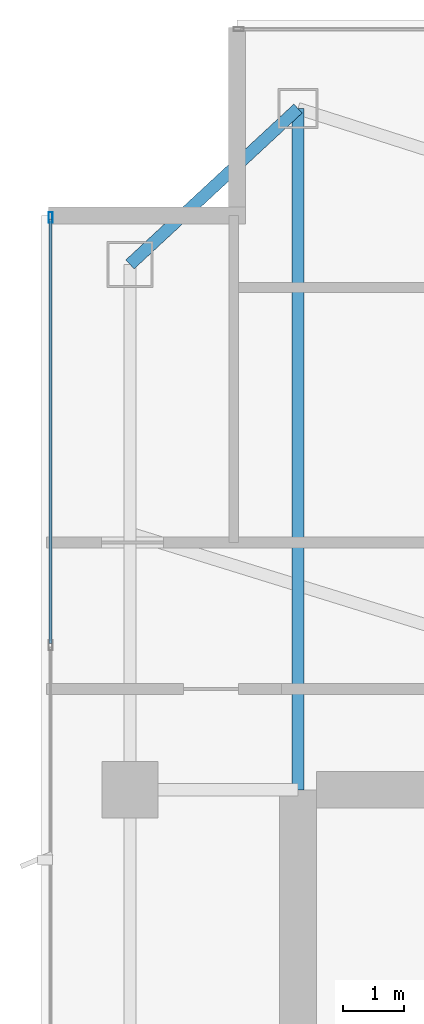
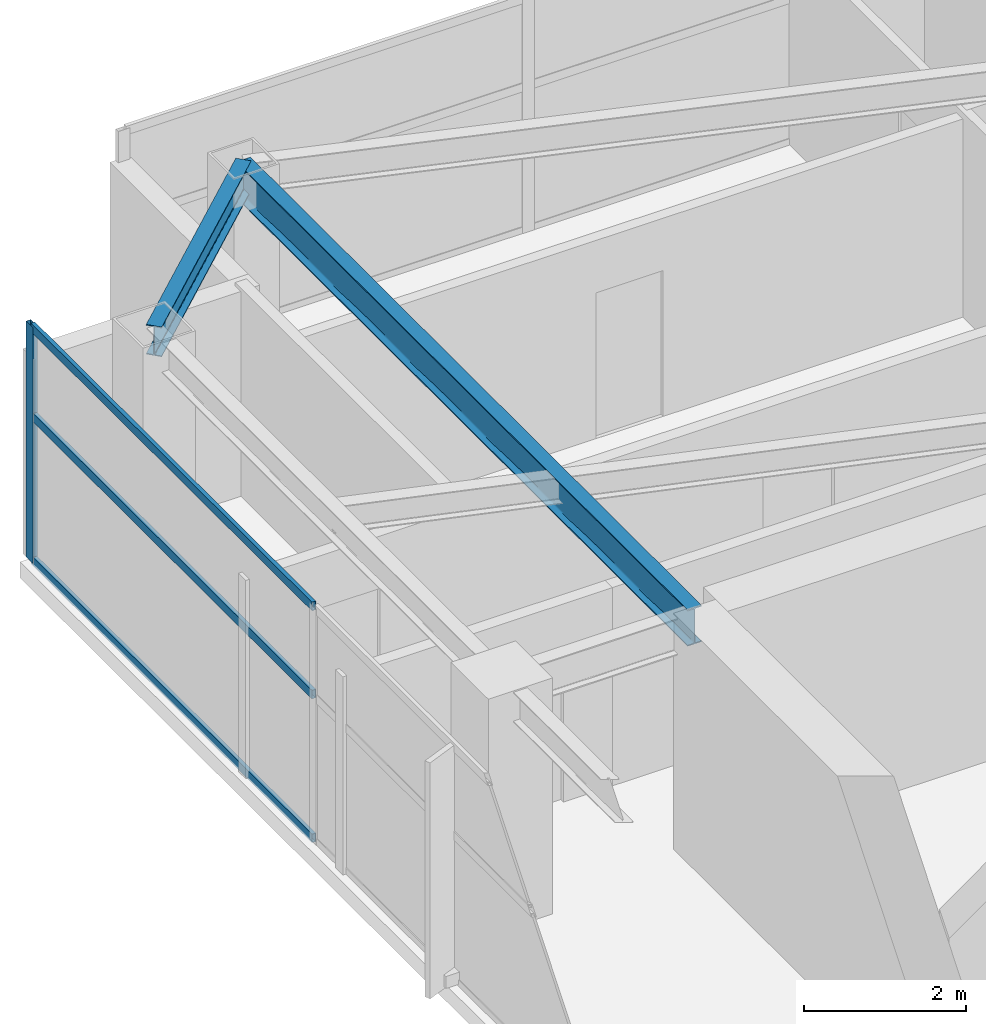
# One storey, part 17 of 28: 4 members, 2 beams, 1 element without a shape of its own.
"""IFC4 building model written with IfcOpenShell, lengths in metres."""

from ifc_helpers import new_model, si_unit, direction, frame, origin, origin_2d, place, context, subcontext, project, spatial, hollow_rectangle, i_section, extrude, material, layer, layer_set, material_profile, profile_set, type_object, element, aggregate, save


model = new_model("IFC4")

# Units and contexts
model_context = context("Model", 3, precision=1e-05, world=origin(), true_north=direction((0.0, 1.0)))
body_context = subcontext(model_context, "Body", "Model", "MODEL_VIEW")
ifc_project = project(units=[si_unit("LENGTHUNIT", "METRE"), si_unit("AREAUNIT", "SQUARE_METRE"), si_unit("VOLUMEUNIT", "CUBIC_METRE"), si_unit("PLANEANGLEUNIT", "RADIAN"), si_unit("MASSUNIT", "GRAM", prefix="KILO")], contexts=[model_context])

# Site, building, storey
site_placement = place(None, origin())
site = spatial("IfcSite", under=ifc_project, at=site_placement, CompositionType="ELEMENT")
building_placement = place(site_placement, origin())
building = spatial("IfcBuilding", under=site, at=building_placement, Name="Calvorn Quay Hotel", CompositionType="ELEMENT")
storey_placement = place(building_placement, frame((0.0, 0.0, 271.10009765625)))
storey = spatial("IfcBuildingStorey", under=building, at=storey_placement, Name="L67", CompositionType="ELEMENT", Elevation=271.10009765625)

# Beams
ifc_material_1 = material(Name="Steel Q355B", Category="steel")
ifc_material_profile_1 = material_profile(ifc_material_1, i_section(OverallWidth=0.199951171875, OverallDepth=0.550048828125, WebThickness=0.010009765625, FlangeThickness=0.01611328125, FilletRadius=0.01806640625, at=origin_2d()), Name="HN550x200x10x16")
ifc_profile_set_1 = profile_set([ifc_material_profile_1], Name="Steel Q355B")
beam_type_1 = type_object("IfcBeamType", Name="BM-GIRD-UPP", PredefinedType="BEAM", material=ifc_profile_set_1)
beam_1_placement = place(storey_placement, frame((4.199951171875, 49.550048828125, 3.264892578125), z_axis=(0.0, -1.0, 0.0), x_axis=(1.0, 0.0, 0.0)))
element("IfcBeam", 1, at=beam_1_placement, inside=storey, type_object=beam_type_1, Name="Beam BG-L67-W5", PredefinedType="BEAM", context=body_context, shape_type="SweptSolid", body=[
    extrude(i_section(OverallWidth=0.199951171875, OverallDepth=0.550048828125, WebThickness=0.010009765625, FlangeThickness=0.01611328125, FilletRadius=0.01806640625, at=origin_2d()), origin(), (0.0, 0.0, 1.0), 11.150146484375),
])
ifc_material_2 = material(Name="Steel Q355B", Category="steel")
ifc_material_profile_2 = material_profile(ifc_material_2, i_section(OverallWidth=0.199951171875, OverallDepth=0.449951171875, WebThickness=0.009033203125, FlangeThickness=0.013916015625, FilletRadius=0.01611328125, at=origin_2d()), Name="HN450x200x9x14")
ifc_profile_set_2 = profile_set([ifc_material_profile_2], Name="Steel Q355B")
beam_type_2 = type_object("IfcBeamType", Name="BM-SPANDREL-Z3", PredefinedType="SPANDREL", material=ifc_profile_set_2)
beam_2_placement = place(storey_placement, frame((1.449951171875, 47.0, 3.31494140625), z_axis=(0.733261665538, 0.679946563969, 0.0), x_axis=(-0.679946563969, 0.733261665538, 0.0)))
element("IfcBeam", 2, at=beam_2_placement, inside=storey, type_object=beam_type_2, Name="Beam BSP-L67-W5", PredefinedType="SPANDREL", context=body_context, shape_type="SweptSolid", body=[
    extrude(i_section(OverallWidth=0.199951171875, OverallDepth=0.449951171875, WebThickness=0.009033203125, FlangeThickness=0.013916015625, FilletRadius=0.01611328125, at=origin_2d()), origin(), (0.0, 0.0, 1.0), 3.75048828125),
])

# Curtain wall, members
ifc_material_3 = material(Name="Champagne Bronze Anodised Aluminium and Low-E Glass", Category="aluminium")
ifc_layer = layer(ifc_material_3, 0.219970703125)
ifc_layer_set = layer_set([ifc_layer], Name="CW-SYS-Z4")
curtain_wall_type = type_object("IfcCurtainWallType", Name="CW-SYS-Z4", PredefinedType="NOTDEFINED", material=ifc_layer_set)
curtain_wall_placement = place(storey_placement, origin())
curtain_wall = element("IfcCurtainWall", 3, at=curtain_wall_placement, inside=storey, type_object=curtain_wall_type, Name="Tower West Curtain Wall (L67)", PredefinedType="NOTDEFINED")
ifc_material_4 = material(Name="Champagne Bronze Anodised Aluminium 6063-T6", Category="aluminium")
ifc_material_profile_3 = material_profile(ifc_material_4, hollow_rectangle(XDim=0.06494140625, YDim=0.169921875, WallThickness=0.00341796875, at=origin_2d()), Name="ALU-M170x65x3.5")
ifc_profile_set_3 = profile_set([ifc_material_profile_3], Name="Champagne Bronze Anodised Aluminium 6063-T6")
member_type_1 = type_object("IfcMemberType", Name="CW-SYS-Z4-MUL", PredefinedType="MULLION", material=ifc_profile_set_3)
member_1_placement = place(storey_placement, frame((0.14990234375, 47.77001953125, 0.0), z_axis=(0.0, 0.0, 1.0), x_axis=(-1.0, 0.0, 0.0)))
member_1 = element("IfcMember", 4, at=member_1_placement, type_object=member_type_1, Name="CW-L67-W mullion 7", PredefinedType="MULLION", context=body_context, shape_type="SweptSolid", body=[
    extrude(hollow_rectangle(XDim=0.06494140625, YDim=0.169921875, WallThickness=0.00341796875, at=origin_2d()), origin(), (0.0, 0.0, 1.0), 3.559814453125),
])
ifc_material_5 = material(Name="Champagne Bronze Anodised Aluminium 6063-T6", Category="aluminium")
ifc_material_profile_4 = material_profile(ifc_material_5, hollow_rectangle(XDim=0.054931640625, YDim=0.1298828125, WallThickness=0.003173828125, at=origin_2d()), Name="ALU-T130x55x3.2")
ifc_profile_set_4 = profile_set([ifc_material_profile_4], Name="Champagne Bronze Anodised Aluminium 6063-T6")
member_type_2 = type_object("IfcMemberType", Name="CW-SYS-Z4-TRN", PredefinedType="USERDEFINED", material=ifc_profile_set_4)
member_2_placement = place(storey_placement, frame((0.14990234375, 40.796630859375, 0.02978515625), z_axis=(0.0, 1.0, 0.0), x_axis=(-1.0, 0.0, 0.0)))
member_2 = element("IfcMember", 5, at=member_2_placement, type_object=member_type_2, Name="CW-L67-W transom 6.1", ObjectType="TRANSOM", PredefinedType="USERDEFINED", context=body_context, shape_type="SweptSolid", body=[
    extrude(hollow_rectangle(XDim=0.054931640625, YDim=0.1298828125, WallThickness=0.003173828125, at=origin_2d()), origin(), (0.0, 0.0, 1.0), 6.943359375),
])
member_3_placement = place(storey_placement, frame((0.14990234375, 40.796630859375, 2.199951171875), z_axis=(0.0, 1.0, 0.0), x_axis=(-1.0, 0.0, 0.0)))
member_3 = element("IfcMember", 6, at=member_3_placement, type_object=member_type_2, Name="CW-L67-W transom 6.2", ObjectType="TRANSOM", PredefinedType="USERDEFINED", context=body_context, shape_type="SweptSolid", body=[
    extrude(hollow_rectangle(XDim=0.054931640625, YDim=0.1298828125, WallThickness=0.003173828125, at=origin_2d()), origin(), (0.0, 0.0, 1.0), 6.943359375),
])
member_4_placement = place(storey_placement, frame((0.14990234375, 40.796630859375, 3.52978515625), z_axis=(0.0, 1.0, 0.0), x_axis=(-1.0, 0.0, 0.0)))
member_4 = element("IfcMember", 7, at=member_4_placement, type_object=member_type_2, Name="CW-L67-W transom 6.3", ObjectType="TRANSOM", PredefinedType="USERDEFINED", context=body_context, shape_type="SweptSolid", body=[
    extrude(hollow_rectangle(XDim=0.054931640625, YDim=0.1298828125, WallThickness=0.003173828125, at=origin_2d()), origin(), (0.0, 0.0, 1.0), 6.943359375),
])
aggregate(curtain_wall, [member_1, member_2, member_3, member_4])

save(model, "model.ifc")
